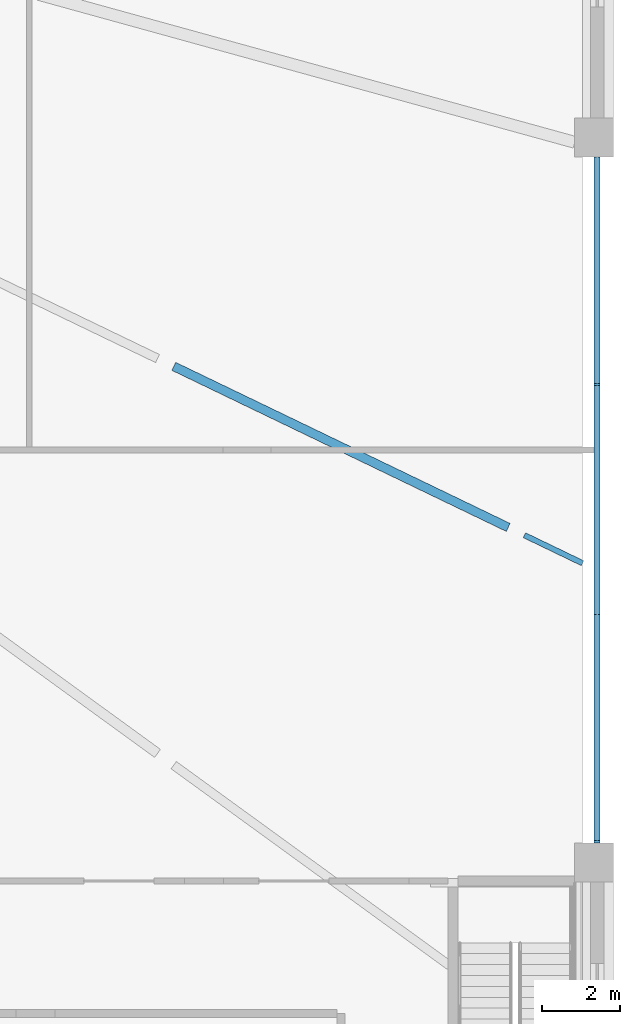
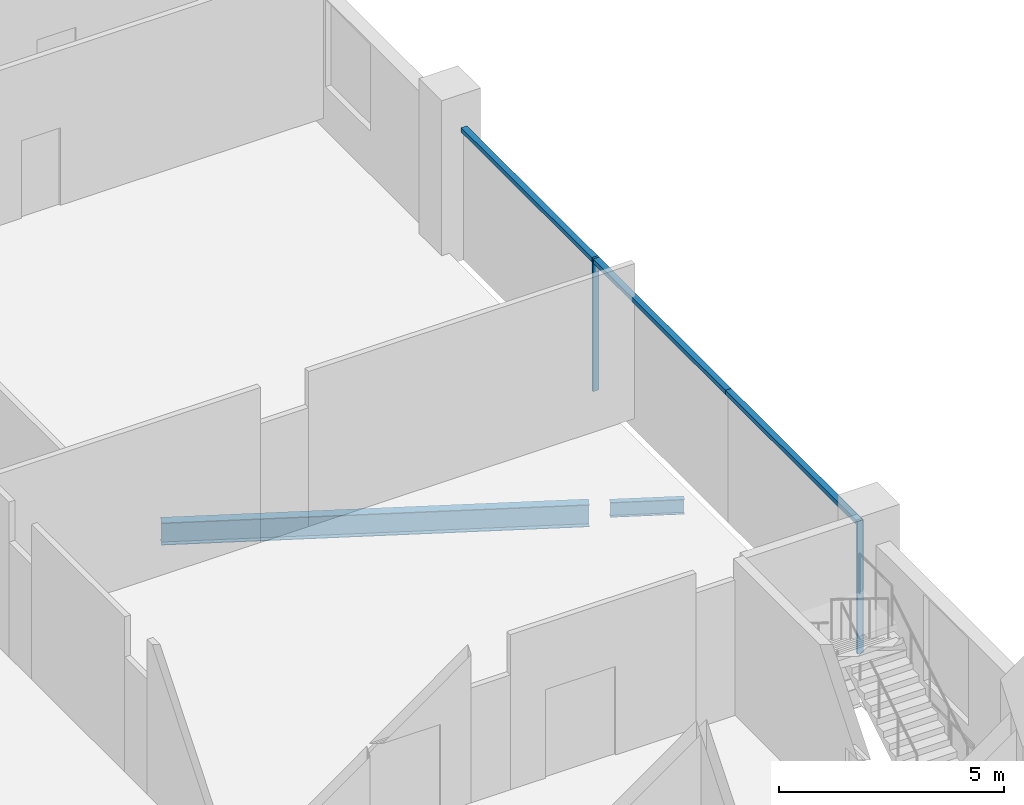
# One storey, part 7 of 33: 5 members, 2 beams, 1 element without a shape of its own.
"""IFC4 building model written with IfcOpenShell, lengths in metres."""

from ifc_helpers import new_model, si_unit, direction, frame, origin, origin_2d, place, context, subcontext, project, spatial, rectangle, i_section, extrude, material, layer, layer_set, material_profile, profile_set, type_object, element, aggregate, save


model = new_model("IFC4")

# Units and contexts
model_context = context("Model", 3, precision=1e-05, world=origin(), true_north=direction((0.0, 1.0)))
body_context = subcontext(model_context, "Body", "Model", "MODEL_VIEW")
ifc_project = project(units=[si_unit("LENGTHUNIT", "METRE"), si_unit("AREAUNIT", "SQUARE_METRE"), si_unit("VOLUMEUNIT", "CUBIC_METRE"), si_unit("PLANEANGLEUNIT", "RADIAN"), si_unit("MASSUNIT", "GRAM", prefix="KILO")], contexts=[model_context])

# Site, building, storey
site_placement = place(None, origin())
site = spatial("IfcSite", under=ifc_project, at=site_placement, CompositionType="ELEMENT")
building_placement = place(site_placement, origin())
building = spatial("IfcBuilding", under=site, at=building_placement, Name="Isthmus Gate Tower", CompositionType="ELEMENT")
storey_placement = place(building_placement, frame((0.0, 0.0, 22.5)))
storey = spatial("IfcBuildingStorey", under=building, at=storey_placement, Name="L03", CompositionType="ELEMENT", Elevation=22.5)

# Curtain wall, members
ifc_material_1 = material(Name="Aluminium, pale champagne anodised", Category="aluminium")
ifc_layer = layer(ifc_material_1, 0.14990234375)
ifc_layer_set = layer_set([ifc_layer], Name="CW-3 STOREFRONT CURTAIN WALL 150 DEEP")
curtain_wall_type = type_object("IfcCurtainWallType", Name="CW-3 STOREFRONT CURTAIN WALL 150 DEEP", PredefinedType="NOTDEFINED", material=ifc_layer_set)
curtain_wall_placement = place(storey_placement, origin())
curtain_wall = element("IfcCurtainWall", 1, at=curtain_wall_placement, inside=storey, type_object=curtain_wall_type, Name="CW-3 E L03", PredefinedType="NOTDEFINED")
ifc_material_2 = material(Name="Aluminium, pale champagne anodised", Category="aluminium")
ifc_material_profile_1 = material_profile(ifc_material_2, rectangle(XDim=0.06005859375, YDim=0.14990234375, at=origin_2d()), Name="60x150")
ifc_profile_set_1 = profile_set([ifc_material_profile_1], Name="Aluminium, pale champagne anodised")
member_type_1 = type_object("IfcMemberType", Name="CW-3 MULLION 60 X 150", PredefinedType="MULLION", material=ifc_profile_set_1)
member_1_placement = place(storey_placement, frame((51.574951171875, -26.77001953125, -0.300048828125), z_axis=(0.0, 0.0, 1.0), x_axis=(0.0, 1.0, 0.0)))
member_1 = element("IfcMember", 2, at=member_1_placement, type_object=member_type_1, Name="CW-3 mullion", PredefinedType="MULLION", context=body_context, shape_type="SweptSolid", body=[
    extrude(rectangle(XDim=0.06005859375, YDim=0.14990234375, at=origin_2d()), origin(), (0.0, 0.0, 1.0), 3.60009765625),
])
member_2_placement = place(storey_placement, frame((51.574951171875, -15.03662109375, -0.300048828125), z_axis=(0.0, 0.0, 1.0), x_axis=(0.0, 1.0, 0.0)))
member_2 = element("IfcMember", 3, at=member_2_placement, type_object=member_type_1, Name="CW-3 mullion", PredefinedType="MULLION", context=body_context, shape_type="SweptSolid", body=[
    extrude(rectangle(XDim=0.06005859375, YDim=0.14990234375, at=origin_2d()), origin(), (0.0, 0.0, 1.0), 3.60009765625),
])
ifc_material_3 = material(Name="Aluminium, pale champagne anodised", Category="aluminium")
ifc_material_profile_2 = material_profile(ifc_material_3, rectangle(XDim=0.14990234375, YDim=0.1201171875, at=origin_2d()), Name="150x120")
ifc_profile_set_2 = profile_set([ifc_material_profile_2], Name="Aluminium, pale champagne anodised")
member_type_2 = type_object("IfcMemberType", Name="CW-3 TRANSOM 150 X 120", PredefinedType="USERDEFINED", material=ifc_profile_set_2)
member_3_placement = place(storey_placement, frame((51.574951171875, -26.739990234375, 3.239990234375), z_axis=(0.0, 1.0, 0.0), x_axis=(-1.0, 0.0, 0.0)))
member_3 = element("IfcMember", 4, at=member_3_placement, type_object=member_type_2, Name="CW-3 transom", ObjectType="TRANSOM", PredefinedType="USERDEFINED", context=body_context, shape_type="SweptSolid", body=[
    extrude(rectangle(XDim=0.14990234375, YDim=0.1201171875, at=origin_2d()), origin(), (0.0, 0.0, 1.0), 5.806640625),
])
member_4_placement = place(storey_placement, frame((51.574951171875, -20.933349609375, 3.239990234375), z_axis=(0.0, 1.0, 0.0), x_axis=(-1.0, 0.0, 0.0)))
member_4 = element("IfcMember", 5, at=member_4_placement, type_object=member_type_2, Name="CW-3 transom", ObjectType="TRANSOM", PredefinedType="USERDEFINED", context=body_context, shape_type="SweptSolid", body=[
    extrude(rectangle(XDim=0.14990234375, YDim=0.1201171875, at=origin_2d()), origin(), (0.0, 0.0, 1.0), 5.86669921875),
])
member_5_placement = place(storey_placement, frame((51.574951171875, -15.006591796875, 3.239990234375), z_axis=(0.0, 1.0, 0.0), x_axis=(-1.0, 0.0, 0.0)))
member_5 = element("IfcMember", 6, at=member_5_placement, type_object=member_type_2, Name="CW-3 transom", ObjectType="TRANSOM", PredefinedType="USERDEFINED", context=body_context, shape_type="SweptSolid", body=[
    extrude(rectangle(XDim=0.14990234375, YDim=0.1201171875, at=origin_2d()), origin(), (0.0, 0.0, 1.0), 5.806640625),
])
aggregate(curtain_wall, [member_1, member_3, member_4, member_2, member_5])

# Beams
ifc_material_4 = material(Name="Structural steel ASTM A992 Gr 50", Category="steel")
ifc_material_profile_3 = material_profile(ifc_material_4, i_section(OverallWidth=0.1396484375, OverallDepth=0.4033203125, WebThickness=0.00634765625, FlangeThickness=0.010986328125, at=origin_2d()), Name="W16X31")
ifc_profile_set_3 = profile_set([ifc_material_profile_3], Name="Structural steel ASTM A992 Gr 50")
beam_type_1 = type_object("IfcBeamType", Name="STEEL FLOOR BEAM W16X31", PredefinedType="JOIST", material=ifc_profile_set_3)
beam_1_placement = place(storey_placement, frame((49.7080078125, -18.904052734375, -0.501708984375), z_axis=(0.900963248265, -0.433895408222, 0.0), x_axis=(0.433895408222, 0.900963248265, 0.0)))
element("IfcBeam", 7, at=beam_1_placement, inside=storey, type_object=beam_type_1, Name="str-beam-L03-15-68", PredefinedType="JOIST", context=body_context, shape_type="SweptSolid", body=[
    extrude(i_section(OverallWidth=0.1396484375, OverallDepth=0.4033203125, WebThickness=0.00634765625, FlangeThickness=0.010986328125, at=origin_2d()), origin(), (0.0, 0.0, 1.0), 1.656005859375),
])
ifc_material_5 = material(Name="Structural steel ASTM A992 Gr 50", Category="steel")
ifc_material_profile_4 = material_profile(ifc_material_5, i_section(OverallWidth=0.228515625, OverallDepth=0.603271484375, WebThickness=0.010986328125, FlangeThickness=0.014404296875, at=origin_2d()), Name="W24X68")
ifc_profile_set_4 = profile_set([ifc_material_profile_4], Name="Structural steel ASTM A992 Gr 50")
beam_type_2 = type_object("IfcBeamType", Name="STEEL FLOOR BEAM W24X68", PredefinedType="JOIST", material=ifc_profile_set_4)
beam_2_placement = place(storey_placement, frame((40.7080078125, -14.56982421875, -0.6015625), z_axis=(0.900960489443, -0.433901136739, 0.0), x_axis=(0.433901136739, 0.900960489443, 0.0)))
element("IfcBeam", 8, at=beam_2_placement, inside=storey, type_object=beam_type_2, Name="str-beam-L03-15-67", PredefinedType="JOIST", context=body_context, shape_type="SweptSolid", body=[
    extrude(i_section(OverallWidth=0.228515625, OverallDepth=0.603271484375, WebThickness=0.010986328125, FlangeThickness=0.014404296875, at=origin_2d()), origin(), (0.0, 0.0, 1.0), 9.527587890625),
])

save(model, "model.ifc")
